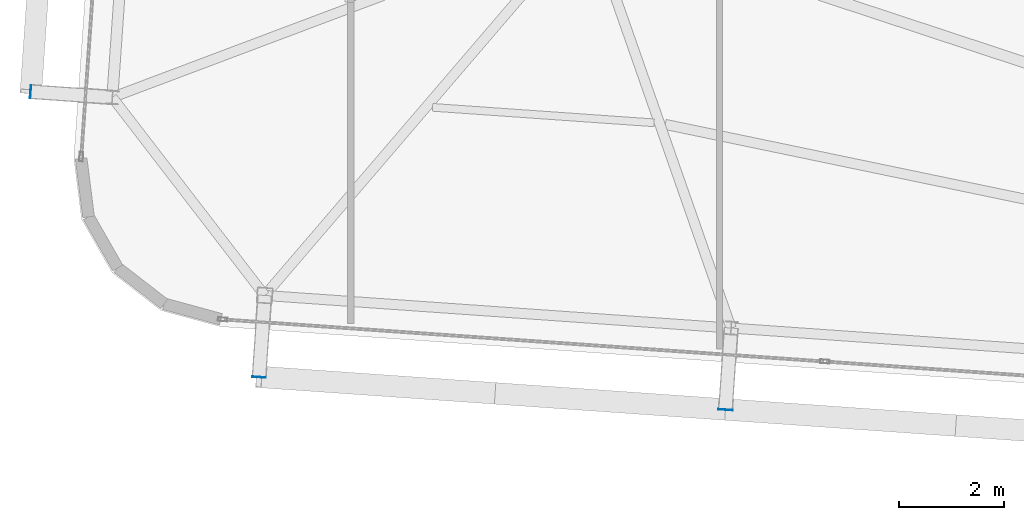
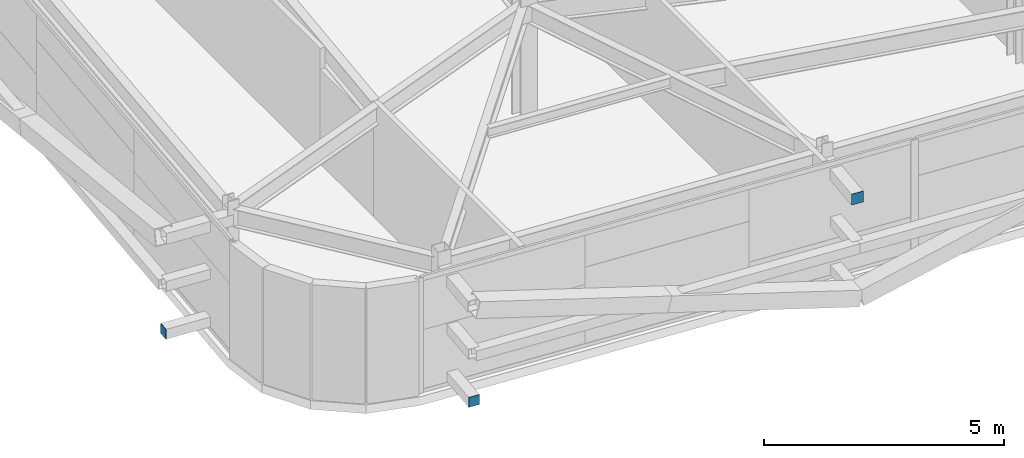
# One storey, part 27 of 39: 3 plates.
"""IFC4 building model written with IfcOpenShell, lengths in metres."""

from ifc_helpers import new_model, si_unit, direction, frame, origin, origin_2d, place, context, subcontext, project, spatial, rectangle, extrude, source, transform, mapped, material, layer, layer_set, type_object, element, save


model = new_model("IFC4")

# Units and contexts
model_context = context("Model", 3, precision=1e-05, world=origin(), true_north=direction((0.0, 1.0)))
body_context = subcontext(model_context, "Body", "Model", "MODEL_VIEW")
ifc_project = project(units=[si_unit("LENGTHUNIT", "METRE"), si_unit("AREAUNIT", "SQUARE_METRE"), si_unit("VOLUMEUNIT", "CUBIC_METRE"), si_unit("PLANEANGLEUNIT", "RADIAN"), si_unit("MASSUNIT", "GRAM", prefix="KILO")], contexts=[model_context])

# Site, building, storey
site_placement = place(None, origin())
site = spatial("IfcSite", under=ifc_project, at=site_placement, CompositionType="ELEMENT")
building_placement = place(site_placement, origin())
building = spatial("IfcBuilding", under=site, at=building_placement, Name="Taldren Reach Tower", CompositionType="ELEMENT")
storey_placement = place(building_placement, frame((0.0, 0.0, 155.050048828125)))
storey = spatial("IfcBuildingStorey", under=building, at=storey_placement, Name="L47", CompositionType="ELEMENT", Elevation=155.050048828125)

# Plates
ifc_material_1 = material(Name="Steel Gr 450 (C450L0)", Category="steel")
ifc_layer_1 = layer(ifc_material_1, 0.011962890625)
ifc_layer_set_1 = layer_set([ifc_layer_1], Name="Steel Gr 450 (C450L0)")
plate_type_1 = type_object("IfcPlateType", Name="PL-CAP-275", PredefinedType="SHEET", material=ifc_layer_set_1)
shared_shape_1 = source(origin(), body_context, "Body", "SweptSolid", [
    extrude(rectangle(XDim=0.27490234375, YDim=0.011962890625, at=origin_2d()), origin(), (0.0, 0.0, 1.0), 0.27490234375),
])
plate_1_placement = place(storey_placement, frame((20.61328125, 3.166748046875, 2.512451171875), z_axis=(0.0, 0.0, 1.0), x_axis=(0.99756405026, -0.069756473744, 0.0)))
element("IfcPlate", 1, at=plate_1_placement, inside=storey, type_object=plate_type_1, Name="Tie strut end cap plate B3-S2 L47", PredefinedType="SHEET", context=body_context, shape_type="MappedRepresentation", body=[
    mapped(shared_shape_1, transform((0.0, 0.0, 0.0), scale=1.0)),
])
ifc_material_2 = material(Name="Steel Gr 350 (C350L0)", Category="steel")
ifc_layer_2 = layer(ifc_material_2, 0.011962890625)
ifc_layer_set_2 = layer_set([ifc_layer_2], Name="Steel Gr 350 (C350L0)")
plate_type_2 = type_object("IfcPlateType", Name="PL-CAP-250", PredefinedType="SHEET", material=ifc_layer_set_2)
shared_shape_2 = source(origin(), body_context, "Body", "SweptSolid", [
    extrude(rectangle(XDim=0.25, YDim=0.011962890625, at=origin_2d()), origin(), (0.0, 0.0, 1.0), 0.25),
])
plate_2_placement = place(storey_placement, frame((11.755126953125, 3.7861328125, 0.094970703125), z_axis=(0.0, 0.0, 1.0), x_axis=(0.99756405026, -0.069756473744, 0.0)))
element("IfcPlate", 2, at=plate_2_placement, inside=storey, type_object=plate_type_2, Name="Tie strut end cap plate B3-S1 L47", PredefinedType="SHEET", context=body_context, shape_type="MappedRepresentation", body=[
    mapped(shared_shape_2, transform((0.0, 0.0, 0.0), scale=1.0)),
])
shared_shape_3 = source(origin(), body_context, "Body", "SweptSolid", [
    extrude(rectangle(XDim=0.011962890625, YDim=0.25, at=origin_2d()), origin(), (0.0, 0.0, 1.0), 0.25),
])
plate_3_placement = place(storey_placement, frame((7.416748046875, 9.2080078125, 0.094970703125), z_axis=(0.0, 0.0, 1.0), x_axis=(0.99756405026, -0.069756473744, 0.0)))
element("IfcPlate", 3, at=plate_3_placement, inside=storey, type_object=plate_type_2, Name="Tie strut end cap plate B3-W1 L47", PredefinedType="SHEET", context=body_context, shape_type="MappedRepresentation", body=[
    mapped(shared_shape_3, transform((0.0, 0.0, 0.0), scale=1.0)),
])

save(model, "model.ifc")
